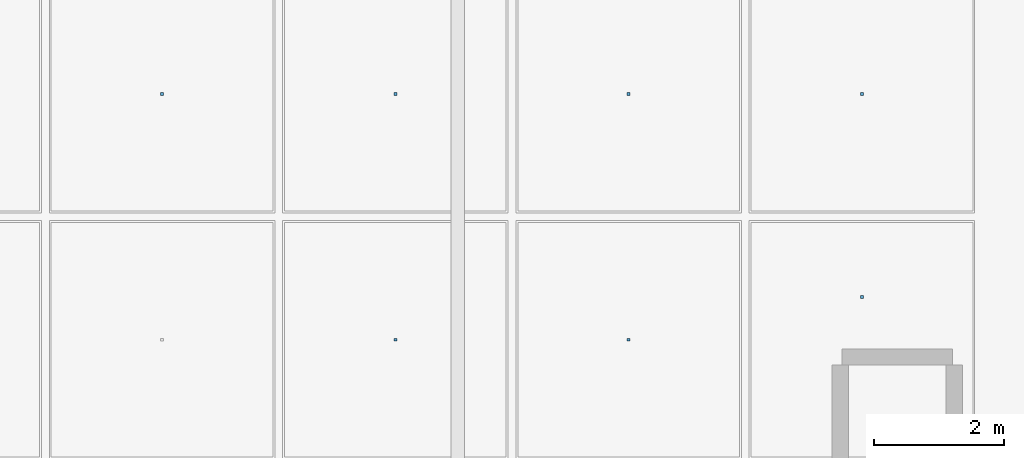
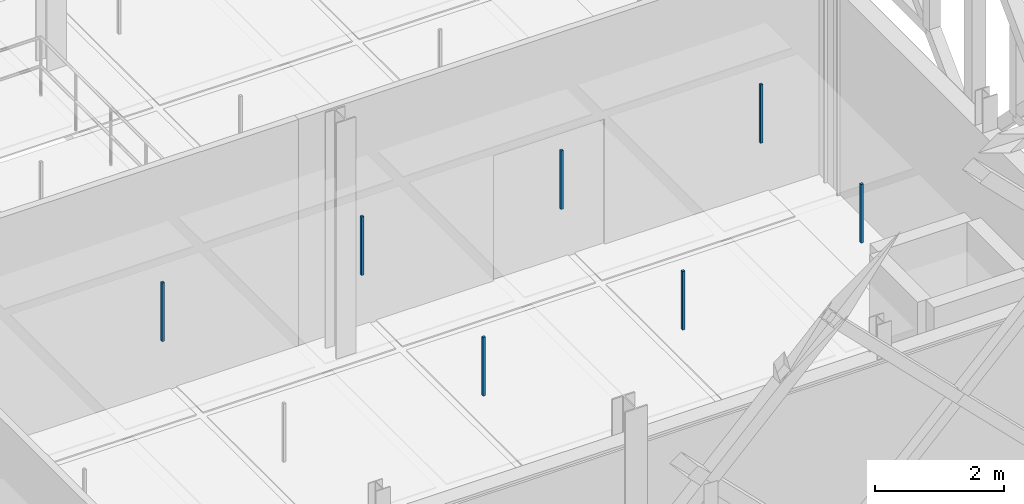
# One storey, part 99 of 140: 7 discrete accessories.
"""IFC4 building model written with IfcOpenShell, lengths in metres."""

from ifc_helpers import new_model, si_unit, direction, frame, origin, origin_2d, place, context, subcontext, project, spatial, rectangle, extrude, material, type_object, element, save


model = new_model("IFC4")

# Units and contexts
model_context = context("Model", 3, precision=1e-05, world=origin(), true_north=direction((0.0, 1.0)))
body_context = subcontext(model_context, "Body", "Model", "MODEL_VIEW")
ifc_project = project(units=[si_unit("LENGTHUNIT", "METRE"), si_unit("AREAUNIT", "SQUARE_METRE"), si_unit("VOLUMEUNIT", "CUBIC_METRE"), si_unit("PLANEANGLEUNIT", "RADIAN"), si_unit("MASSUNIT", "GRAM", prefix="KILO"), si_unit("THERMODYNAMICTEMPERATUREUNIT", "KELVIN"), si_unit("POWERUNIT", "WATT")], contexts=[model_context])

# Site, building, storey
site_placement = place(None, origin())
site = spatial("IfcSite", under=ifc_project, at=site_placement, CompositionType="ELEMENT")
building_placement = place(site_placement, origin())
building = spatial("IfcBuilding", under=site, at=building_placement, Name="Tallowbark Science Centre", CompositionType="ELEMENT")
storey_placement = place(building_placement, frame((0.0, 0.0, 9.89990234375)))
storey = spatial("IfcBuildingStorey", under=building, at=storey_placement, Name="L02", CompositionType="ELEMENT", Elevation=9.89990234375)

# Discrete accessories
ifc_material = material(Name="Galvanised Steel Grade C350L0 (350 MPa)", Category="steel")
discrete_accessory_type = type_object("IfcDiscreteAccessoryType", Name="ACC-CLG-HNG", PredefinedType="BRACKET", material=ifc_material)
for number, where, z_axis, x_axis, name in (
    (1, (89.958251953125, 11.166748046875, 3.20947265625), (0.0, 0.0, 1.0), (1.0, 0.0, 0.0), "Ceiling Hanger Bracket L02-829"),
    (2, (93.541748046875, 7.388916015625, 3.20947265625), (0.0, 0.0, 1.0), (1.0, 0.0, 0.0), "Ceiling Hanger Bracket L02-833"),
    (3, (93.541748046875, 11.166748046875, 3.20947265625), (0.0, 0.0, 1.0), (1.0, 0.0, 0.0), "Ceiling Hanger Bracket L02-834"),
    (4, (97.125, 7.388916015625, 3.20947265625), (0.0, 0.0, 1.0), (1.0, 0.0, 0.0), "Ceiling Hanger Bracket L02-838"),
    (5, (97.125, 11.166748046875, 3.20947265625), (0.0, 0.0, 1.0), (1.0, 0.0, 0.0), "Ceiling Hanger Bracket L02-839"),
    (6, (100.708251953125, 8.0439453125, 3.20947265625), (0.0, 0.0, 1.0), (1.0, 0.0, 0.0), "Ceiling Hanger Bracket L02-843"),
    (7, (100.708251953125, 11.166748046875, 3.20947265625), (0.0, 0.0, 1.0), (1.0, 0.0, 0.0), "Ceiling Hanger Bracket L02-844"),
):
    element("IfcDiscreteAccessory", number, at=place(storey_placement, frame(where, z_axis=z_axis, x_axis=x_axis)), inside=storey, type_object=discrete_accessory_type, Name=name, PredefinedType="BRACKET", context=body_context, shape_type="SweptSolid", body=[
        extrude(rectangle(XDim=0.044921875, YDim=0.044921875, at=origin_2d()), origin(), (0.0, 0.0, 1.0), 1.113525390625),
    ])

save(model, "model.ifc")
